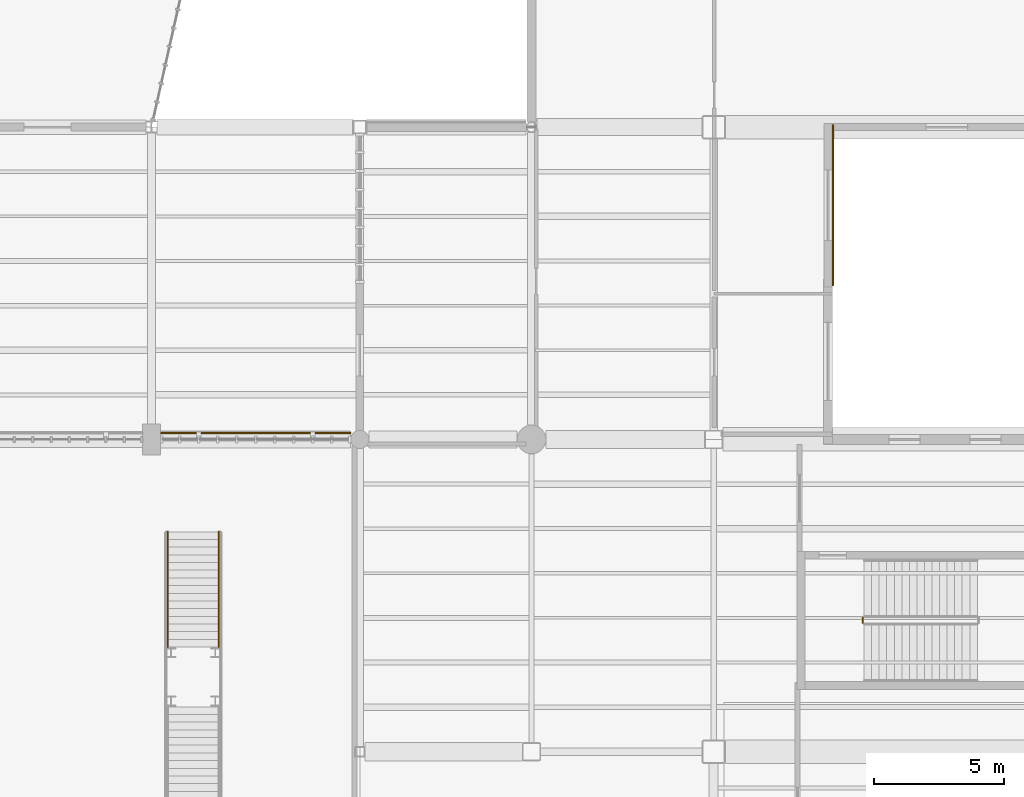
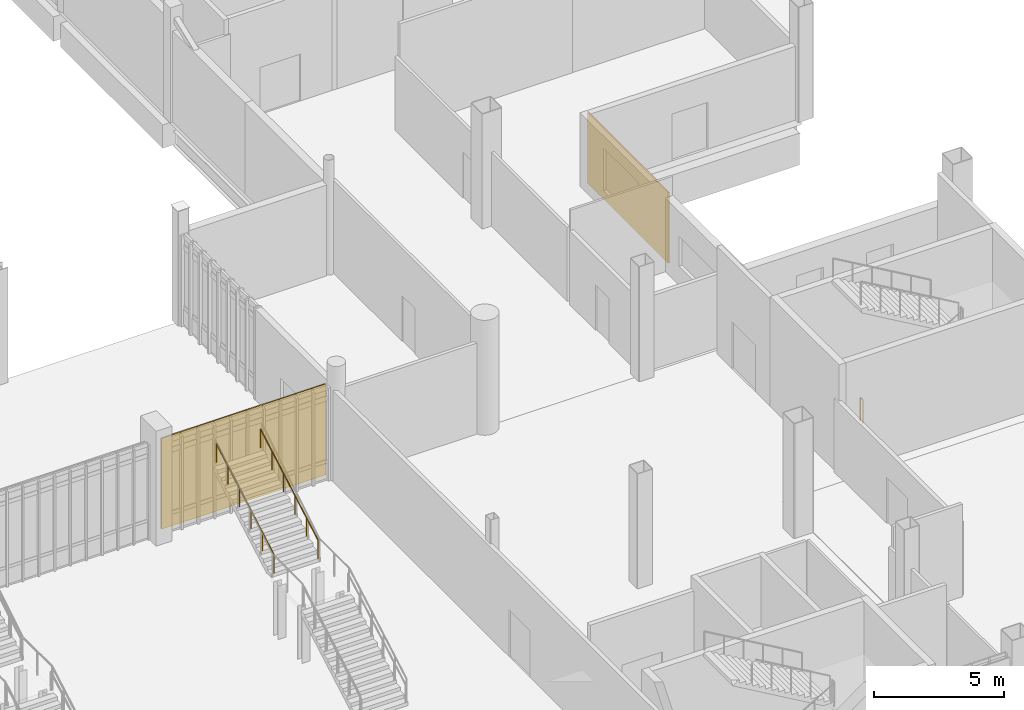
# One storey, part 104 of 111: 3 railings, 1 covering, 1 shading device.
"""IFC4 building model written with IfcOpenShell, lengths in metres."""

from ifc_helpers import new_model, si_unit, direction, frame, origin, origin_2d, place, context, subcontext, project, spatial, rectangle, circle, extrude, material, layer, layer_set, type_object, element, save


model = new_model("IFC4")

# Units and contexts
model_context = context("Model", 3, precision=1e-05, world=origin(), true_north=direction((0.0, 1.0)))
body_context = subcontext(model_context, "Body", "Model", "MODEL_VIEW")
ifc_project = project(units=[si_unit("LENGTHUNIT", "METRE"), si_unit("AREAUNIT", "SQUARE_METRE"), si_unit("VOLUMEUNIT", "CUBIC_METRE"), si_unit("PLANEANGLEUNIT", "RADIAN"), si_unit("MASSUNIT", "GRAM", prefix="KILO")], contexts=[model_context])

# Site, building, storey
site_placement = place(None, origin())
site = spatial("IfcSite", under=ifc_project, at=site_placement, CompositionType="ELEMENT")
building_placement = place(site_placement, origin())
building = spatial("IfcBuilding", under=site, at=building_placement, Name="Larkvane Passage Sports Hall", CompositionType="ELEMENT")
storey_placement = place(building_placement, origin())
storey = spatial("IfcBuildingStorey", under=building, at=storey_placement, Name="L00", CompositionType="ELEMENT", Elevation=0.0)

# Covering
ifc_material_1 = material(Name="Perforated anodised aluminium 5052-H32", Category="aluminium")
ifc_layer_1 = layer(ifc_material_1, 0.050048828125)
ifc_layer_set_1 = layer_set([ifc_layer_1], Name="Perforated anodised aluminium 5052-H32")
covering_type = type_object("IfcCoveringType", Name="COV-MESH-VEIL", PredefinedType="CLADDING", material=ifc_layer_set_1)
covering_placement = place(storey_placement, frame((136.179931640625, 60.60009765625, 0.07470703125), z_axis=(0.0, 0.0, 1.0), x_axis=(0.0, -1.0, 0.0)))
element("IfcCovering", 1, at=covering_placement, inside=storey, type_object=covering_type, Name="Perforated cladding cassette L00-044", PredefinedType="CLADDING", context=body_context, shape_type="SweptSolid", body=[
    extrude(rectangle(XDim=6.197509765625, YDim=0.050048828125, at=origin_2d()), origin(), (0.0, 0.0, 1.0), 3.318115234375),
])

# Railings
ifc_material_2 = material(Name="Steel S355JR", Category="steel")
railing_type_1 = type_object("IfcRailingType", Name="RL-GUARD-1120", PredefinedType="GUARDRAIL", material=ifc_material_2)
railing_placement = place(storey_placement, frame((137.330078125, 44.550048828125, 0.0)))
element("IfcRailing", 2, at=railing_placement, inside=storey, type_object=railing_type_1, Name="L00 ST-07 stair guard 4", PredefinedType="GUARDRAIL", context=body_context, shape_type="SweptSolid", body=[
    extrude(circle(Radius=0.02392578125, at=origin_2d()), frame((0.0, 0.001953125, 1.09619140625), z_axis=(0.0, 1.0, 0.0), x_axis=(-1.0, 0.0, 0.0)), (0.0, 0.0, 1.0), 0.196044921875),
    extrude(circle(Radius=0.02099609375, at=origin_2d()), origin(), (0.0, 0.0, 1.0), 1.072021484375),
    extrude(circle(Radius=0.02099609375, at=origin_2d()), frame((0.0, 0.199951171875, 0.0)), (0.0, 0.0, 1.0), 1.072021484375),
])
ifc_material_3 = material(Name="Stainless steel S355JR", Category="steel")
railing_type_2 = type_object("IfcRailingType", Name="RL-HAND-920", PredefinedType="HANDRAIL", material=ifc_material_3)
for number, where, name in (
    (3, (110.6201171875, 43.625, 2.86865234375), "Feature stair upper handrail ST-F2-W"),
    (4, (112.580078125, 43.625, 2.86865234375), "Feature stair upper handrail ST-F2-E"),
):
    element("IfcRailing", number, at=place(storey_placement, frame(where)), inside=storey, type_object=railing_type_2, Name=name, PredefinedType="HANDRAIL", context=body_context, shape_type="SweptSolid", body=[
        extrude(circle(Radius=0.02392578125, at=origin_2d()), frame((0.0, 0.001708984375, 0.876953125), z_axis=(0.0, 0.868019072493, 0.49653085482), x_axis=(-1.0, 0.0, 0.0)), (0.0, 0.0, 1.0), 5.09375),
        extrude(circle(Radius=0.02099609375, at=origin_2d()), origin(), (0.0, 0.0, 1.0), 0.851806640625),
        extrude(circle(Radius=0.02099609375, at=origin_2d()), frame((0.0, 0.885009765625, 0.50634765625)), (0.0, 0.0, 1.0), 0.851806640625),
        extrude(circle(Radius=0.02099609375, at=origin_2d()), frame((0.0, 1.77001953125, 1.012451171875)), (0.0, 0.0, 1.0), 0.851806640625),
        extrude(circle(Radius=0.02099609375, at=origin_2d()), frame((0.0, 2.655029296875, 1.518798828125)), (0.0, 0.0, 1.0), 0.851806640625),
        extrude(circle(Radius=0.02099609375, at=origin_2d()), frame((0.0, 3.5400390625, 2.02490234375)), (0.0, 0.0, 1.0), 0.851806640625),
        extrude(circle(Radius=0.02099609375, at=origin_2d()), frame((0.0, 4.425048828125, 2.53125)), (0.0, 0.0, 1.0), 0.851806640625),
    ])

# Shading device
ifc_layer_2 = layer(ifc_material_1, 0.06005859375)
ifc_layer_set_2 = layer_set([ifc_layer_2], Name="Perforated anodised aluminium 5052-H32")
shading_device_type = type_object("IfcShadingDeviceType", Name="SHD-VEIL-PERF", PredefinedType="SHUTTER", material=ifc_layer_set_2)
shading_device_placement = place(storey_placement, frame((114.0, 51.840087890625, 0.06005859375), z_axis=(0.0, 0.0, 1.0), x_axis=(1.0, 0.0, 0.0)))
element("IfcShadingDevice", 5, at=shading_device_placement, inside=storey, type_object=shading_device_type, Name="Solar veil screen L00-011", PredefinedType="SHUTTER", context=body_context, shape_type="SweptSolid", body=[
    extrude(rectangle(XDim=7.30810546875, YDim=0.06005859375, at=origin_2d()), origin(), (0.0, 0.0, 1.0), 4.26611328125),
])

save(model, "model.ifc")
